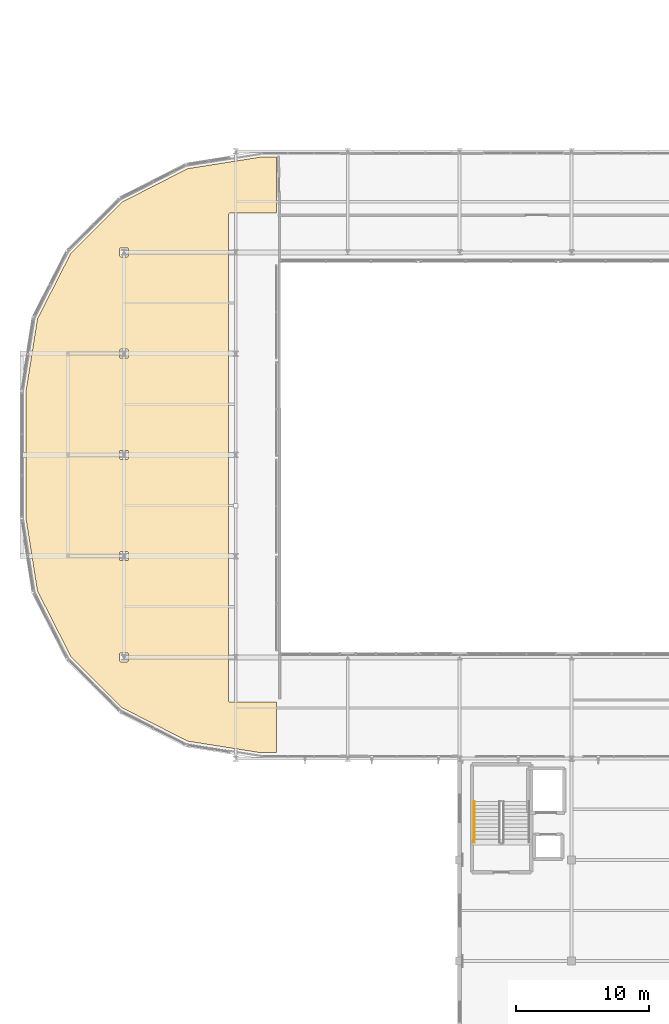
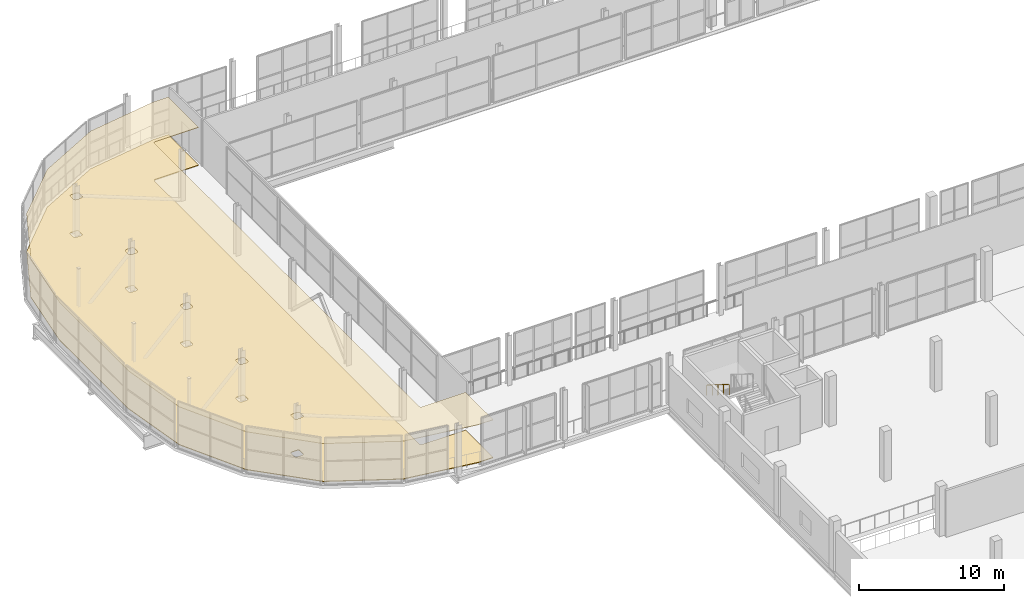
# One storey, part 205 of 217: 2 coverings, 1 railing.
"""IFC4 building model written with IfcOpenShell, lengths in metres."""

from ifc_helpers import new_model, si_unit, direction, frame, origin, origin_2d, place, context, subcontext, project, spatial, polyline, circle, outline, extrude, material, layer, layer_set, type_object, element, save


model = new_model("IFC4")

# Units and contexts
model_context = context("Model", 3, precision=1e-05, world=origin(), true_north=direction((0.0, 1.0)))
body_context = subcontext(model_context, "Body", "Model", "MODEL_VIEW")
ifc_project = project(units=[si_unit("LENGTHUNIT", "METRE"), si_unit("AREAUNIT", "SQUARE_METRE"), si_unit("VOLUMEUNIT", "CUBIC_METRE"), si_unit("PLANEANGLEUNIT", "RADIAN"), si_unit("MASSUNIT", "GRAM", prefix="KILO")], contexts=[model_context])

# Site, building, storey
site_placement = place(None, origin())
site = spatial("IfcSite", under=ifc_project, at=site_placement, CompositionType="ELEMENT")
building_placement = place(site_placement, origin())
building = spatial("IfcBuilding", under=site, at=building_placement, Name="Zuvorla Pavilion Media Centre", CompositionType="ELEMENT")
storey_placement = place(building_placement, frame((0.0, 0.0, 9.60009765625)))
storey = spatial("IfcBuildingStorey", under=building, at=storey_placement, Name="L02", CompositionType="ELEMENT", Elevation=9.60009765625)

# Coverings
ifc_material_1 = material(Name="Perforated gypsum acoustic studio ceiling")
ifc_layer_1 = layer(ifc_material_1, 0.0400390625)
ifc_layer_set_1 = layer_set([ifc_layer_1], Name="Perforated gypsum acoustic studio ceiling")
covering_type_1 = type_object("IfcCoveringType", Name="COV-CLG-ACOUST", PredefinedType="CEILING", material=ifc_layer_set_1)
covering_1_placement = place(storey_placement, frame((0.0, 0.0, 3.179931640625)))
element("IfcCovering", 1, at=covering_1_placement, inside=storey, type_object=covering_type_1, Name="L02 acoustic ceiling 6", PredefinedType="CEILING", context=body_context, shape_type="SweptSolid", body=[
    extrude(outline(polyline([(9.050048828125, 62.035400390625), (9.050048828125, 71.564697265625), (9.914306640625, 77.021484375), (12.40625, 81.912353515625), (16.28759765625, 85.793701171875), (21.178466796875, 88.28564453125), (26.635498046875, 89.14990234375), (27.840087890625, 89.14990234375), (27.840087890625, 84.9599609375), (24.39892578125, 84.9599609375), (24.38427734375, 84.959228515625), (24.36962890625, 84.95703125), (24.36865234375, 84.956787109375), (24.365478515625, 84.956298828125), (24.364501953125, 84.9560546875), (24.35009765625, 84.9521484375), (24.336181640625, 84.94677734375), (24.33447265625, 84.94580078125), (24.322509765625, 84.93994140625), (24.321533203125, 84.939453125), (24.310791015625, 84.932861328125), (24.30078125, 84.92529296875), (24.29931640625, 84.92431640625), (24.286865234375, 84.9130859375), (24.27587890625, 84.90087890625), (24.274658203125, 84.8994140625), (24.26708984375, 84.88916015625), (24.260498046875, 84.87841796875), (24.260009765625, 84.87744140625), (24.254150390625, 84.865478515625), (24.253662109375, 84.86474609375), (24.25341796875, 84.86376953125), (24.247802734375, 84.849853515625), (24.243896484375, 84.83544921875), (24.243896484375, 84.83447265625), (24.2431640625, 84.831298828125), (24.242919921875, 84.830322265625), (24.24072265625, 84.81591796875), (24.239990234375, 84.801025390625), (24.239990234375, 48.39892578125), (24.24072265625, 48.38427734375), (24.242919921875, 48.36962890625), (24.2431640625, 48.36865234375), (24.243896484375, 48.365478515625), (24.243896484375, 48.364501953125), (24.247802734375, 48.35009765625), (24.25341796875, 48.336181640625), (24.253662109375, 48.335205078125), (24.254150390625, 48.33447265625), (24.260009765625, 48.322509765625), (24.260498046875, 48.321533203125), (24.26708984375, 48.310791015625), (24.274658203125, 48.30078125), (24.27587890625, 48.29931640625), (24.286865234375, 48.286865234375), (24.29931640625, 48.27587890625), (24.30078125, 48.274658203125), (24.310791015625, 48.26708984375), (24.321533203125, 48.260498046875), (24.322509765625, 48.260009765625), (24.33447265625, 48.254150390625), (24.336181640625, 48.25341796875), (24.35009765625, 48.247802734375), (24.364501953125, 48.243896484375), (24.365478515625, 48.243896484375), (24.36865234375, 48.2431640625), (24.36962890625, 48.242919921875), (24.38427734375, 48.24072265625), (24.39892578125, 48.239990234375), (27.85009765625, 48.239990234375), (27.85009765625, 44.449951171875), (26.635498046875, 44.449951171875), (21.178466796875, 45.314208984375), (16.28759765625, 47.806396484375), (12.40625, 51.687744140625), (9.914306640625, 56.57861328125), (9.050048828125, 62.035400390625)]), holes=[polyline([(16.0537109375, 51.406005859375), (16.054443359375, 51.39111328125), (16.056640625, 51.376708984375), (16.060302734375, 51.3623046875), (16.065185546875, 51.348388671875), (16.0712890625, 51.335205078125), (16.0791015625, 51.322509765625), (16.087646484375, 51.310791015625), (16.09765625, 51.2998046875), (16.1083984375, 51.289794921875), (16.120361328125, 51.28125), (16.133056640625, 51.273681640625), (16.146240234375, 51.267333984375), (16.16015625, 51.262451171875), (16.17431640625, 51.2587890625), (16.18896484375, 51.256591796875), (16.20361328125, 51.255859375), (16.59619140625, 51.255859375), (16.611083984375, 51.256591796875), (16.62548828125, 51.2587890625), (16.639892578125, 51.262451171875), (16.65380859375, 51.267333984375), (16.6669921875, 51.273681640625), (16.6796875, 51.28125), (16.69140625, 51.289794921875), (16.702392578125, 51.2998046875), (16.71240234375, 51.310791015625), (16.720947265625, 51.322509765625), (16.728515625, 51.335205078125), (16.73486328125, 51.348388671875), (16.73974609375, 51.3623046875), (16.743408203125, 51.376708984375), (16.74560546875, 51.39111328125), (16.746337890625, 51.406005859375), (16.746337890625, 51.794189453125), (16.74560546875, 51.808837890625), (16.743408203125, 51.823486328125), (16.73974609375, 51.837646484375), (16.73486328125, 51.8515625), (16.728515625, 51.86474609375), (16.720947265625, 51.87744140625), (16.71240234375, 51.889404296875), (16.702392578125, 51.900146484375), (16.69140625, 51.91015625), (16.6796875, 51.918701171875), (16.6669921875, 51.926513671875), (16.65380859375, 51.9326171875), (16.639892578125, 51.9375), (16.62548828125, 51.941162109375), (16.611083984375, 51.943359375), (16.59619140625, 51.944091796875), (16.20361328125, 51.944091796875), (16.18896484375, 51.943359375), (16.17431640625, 51.941162109375), (16.16015625, 51.9375), (16.146240234375, 51.9326171875), (16.133056640625, 51.926513671875), (16.120361328125, 51.918701171875), (16.1083984375, 51.91015625), (16.09765625, 51.900146484375), (16.087646484375, 51.889404296875), (16.0791015625, 51.87744140625), (16.0712890625, 51.86474609375), (16.065185546875, 51.8515625), (16.060302734375, 51.837646484375), (16.056640625, 51.823486328125), (16.054443359375, 51.808837890625), (16.0537109375, 51.794189453125), (16.0537109375, 51.406005859375)]), polyline([(16.0537109375, 59.005859375), (16.054443359375, 58.9912109375), (16.056640625, 58.9765625), (16.060302734375, 58.96240234375), (16.065185546875, 58.948486328125), (16.0712890625, 58.935302734375), (16.0791015625, 58.922607421875), (16.087646484375, 58.91064453125), (16.09765625, 58.89990234375), (16.1083984375, 58.889892578125), (16.120361328125, 58.881103515625), (16.133056640625, 58.87353515625), (16.146240234375, 58.8671875), (16.16015625, 58.8623046875), (16.17431640625, 58.85888671875), (16.18896484375, 58.856689453125), (16.20361328125, 58.85595703125), (16.59619140625, 58.85595703125), (16.611083984375, 58.856689453125), (16.62548828125, 58.85888671875), (16.639892578125, 58.8623046875), (16.65380859375, 58.8671875), (16.6669921875, 58.87353515625), (16.6796875, 58.881103515625), (16.69140625, 58.889892578125), (16.702392578125, 58.89990234375), (16.71240234375, 58.91064453125), (16.720947265625, 58.922607421875), (16.728515625, 58.935302734375), (16.73486328125, 58.948486328125), (16.73974609375, 58.96240234375), (16.743408203125, 58.9765625), (16.74560546875, 58.9912109375), (16.746337890625, 59.005859375), (16.746337890625, 59.39404296875), (16.74560546875, 59.40869140625), (16.743408203125, 59.42333984375), (16.73974609375, 59.4375), (16.73486328125, 59.451416015625), (16.728515625, 59.46484375), (16.720947265625, 59.477294921875), (16.71240234375, 59.4892578125), (16.702392578125, 59.500244140625), (16.69140625, 59.510009765625), (16.6796875, 59.518798828125), (16.6669921875, 59.5263671875), (16.65380859375, 59.53271484375), (16.639892578125, 59.53759765625), (16.62548828125, 59.541259765625), (16.611083984375, 59.54345703125), (16.59619140625, 59.544189453125), (16.20361328125, 59.544189453125), (16.18896484375, 59.54345703125), (16.17431640625, 59.541259765625), (16.16015625, 59.53759765625), (16.146240234375, 59.53271484375), (16.133056640625, 59.5263671875), (16.120361328125, 59.518798828125), (16.1083984375, 59.510009765625), (16.09765625, 59.500244140625), (16.087646484375, 59.4892578125), (16.0791015625, 59.477294921875), (16.0712890625, 59.46484375), (16.065185546875, 59.451416015625), (16.060302734375, 59.4375), (16.056640625, 59.42333984375), (16.054443359375, 59.40869140625), (16.0537109375, 59.39404296875), (16.0537109375, 59.005859375)]), polyline([(16.0537109375, 66.60595703125), (16.054443359375, 66.59130859375), (16.056640625, 66.57666015625), (16.060302734375, 66.5625), (16.065185546875, 66.548583984375), (16.0712890625, 66.53515625), (16.0791015625, 66.522705078125), (16.087646484375, 66.5107421875), (16.09765625, 66.499755859375), (16.1083984375, 66.489990234375), (16.120361328125, 66.481201171875), (16.133056640625, 66.4736328125), (16.146240234375, 66.46728515625), (16.16015625, 66.46240234375), (16.17431640625, 66.458740234375), (16.18896484375, 66.45654296875), (16.20361328125, 66.455810546875), (16.59619140625, 66.455810546875), (16.611083984375, 66.45654296875), (16.62548828125, 66.458740234375), (16.639892578125, 66.46240234375), (16.65380859375, 66.46728515625), (16.6669921875, 66.4736328125), (16.6796875, 66.481201171875), (16.69140625, 66.489990234375), (16.702392578125, 66.499755859375), (16.71240234375, 66.5107421875), (16.720947265625, 66.522705078125), (16.728515625, 66.53515625), (16.73486328125, 66.548583984375), (16.73974609375, 66.5625), (16.743408203125, 66.57666015625), (16.74560546875, 66.59130859375), (16.746337890625, 66.60595703125), (16.746337890625, 66.994140625), (16.74560546875, 67.0087890625), (16.743408203125, 67.0234375), (16.73974609375, 67.03759765625), (16.73486328125, 67.051513671875), (16.728515625, 67.064697265625), (16.720947265625, 67.077392578125), (16.71240234375, 67.08935546875), (16.702392578125, 67.10009765625), (16.69140625, 67.110107421875), (16.6796875, 67.118896484375), (16.6669921875, 67.12646484375), (16.65380859375, 67.1328125), (16.639892578125, 67.1376953125), (16.62548828125, 67.14111328125), (16.611083984375, 67.143310546875), (16.59619140625, 67.14404296875), (16.20361328125, 67.14404296875), (16.18896484375, 67.143310546875), (16.17431640625, 67.14111328125), (16.16015625, 67.1376953125), (16.146240234375, 67.1328125), (16.133056640625, 67.12646484375), (16.120361328125, 67.118896484375), (16.1083984375, 67.110107421875), (16.09765625, 67.10009765625), (16.087646484375, 67.08935546875), (16.0791015625, 67.077392578125), (16.0712890625, 67.064697265625), (16.065185546875, 67.051513671875), (16.060302734375, 67.03759765625), (16.056640625, 67.0234375), (16.054443359375, 67.0087890625), (16.0537109375, 66.994140625), (16.0537109375, 66.60595703125)]), polyline([(16.0537109375, 81.805908203125), (16.054443359375, 81.791259765625), (16.056640625, 81.776611328125), (16.060302734375, 81.762451171875), (16.065185546875, 81.74853515625), (16.0712890625, 81.735107421875), (16.0791015625, 81.72265625), (16.087646484375, 81.710693359375), (16.09765625, 81.69970703125), (16.1083984375, 81.68994140625), (16.120361328125, 81.68115234375), (16.133056640625, 81.673583984375), (16.146240234375, 81.667236328125), (16.16015625, 81.662353515625), (16.17431640625, 81.65869140625), (16.18896484375, 81.656494140625), (16.20361328125, 81.656005859375), (16.59619140625, 81.656005859375), (16.611083984375, 81.656494140625), (16.62548828125, 81.65869140625), (16.639892578125, 81.662353515625), (16.65380859375, 81.667236328125), (16.6669921875, 81.673583984375), (16.6796875, 81.68115234375), (16.69140625, 81.68994140625), (16.702392578125, 81.69970703125), (16.71240234375, 81.710693359375), (16.720947265625, 81.72265625), (16.728515625, 81.735107421875), (16.73486328125, 81.74853515625), (16.73974609375, 81.762451171875), (16.743408203125, 81.776611328125), (16.74560546875, 81.791259765625), (16.746337890625, 81.805908203125), (16.746337890625, 82.194091796875), (16.74560546875, 82.208740234375), (16.743408203125, 82.223388671875), (16.73974609375, 82.237548828125), (16.73486328125, 82.25146484375), (16.728515625, 82.264892578125), (16.720947265625, 82.27734375), (16.71240234375, 82.289306640625), (16.702392578125, 82.30029296875), (16.69140625, 82.31005859375), (16.6796875, 82.31884765625), (16.6669921875, 82.326416015625), (16.65380859375, 82.332763671875), (16.639892578125, 82.337646484375), (16.62548828125, 82.34130859375), (16.611083984375, 82.343505859375), (16.59619140625, 82.343994140625), (16.20361328125, 82.343994140625), (16.18896484375, 82.343505859375), (16.17431640625, 82.34130859375), (16.16015625, 82.337646484375), (16.146240234375, 82.332763671875), (16.133056640625, 82.326416015625), (16.120361328125, 82.31884765625), (16.1083984375, 82.31005859375), (16.09765625, 82.30029296875), (16.087646484375, 82.289306640625), (16.0791015625, 82.27734375), (16.0712890625, 82.264892578125), (16.065185546875, 82.25146484375), (16.060302734375, 82.237548828125), (16.056640625, 82.223388671875), (16.054443359375, 82.208740234375), (16.0537109375, 82.194091796875), (16.0537109375, 81.805908203125)]), polyline([(16.20361328125, 74.744140625), (16.18896484375, 74.743408203125), (16.17431640625, 74.7412109375), (16.16015625, 74.737548828125), (16.146240234375, 74.732666015625), (16.133056640625, 74.726318359375), (16.120361328125, 74.71875), (16.1083984375, 74.710205078125), (16.09765625, 74.7001953125), (16.087646484375, 74.689208984375), (16.0791015625, 74.677490234375), (16.0712890625, 74.664794921875), (16.065185546875, 74.651611328125), (16.060302734375, 74.6376953125), (16.056640625, 74.623291015625), (16.054443359375, 74.60888671875), (16.0537109375, 74.593994140625), (16.0537109375, 74.205810546875), (16.054443359375, 74.191162109375), (16.056640625, 74.176513671875), (16.060302734375, 74.162353515625), (16.065185546875, 74.1484375), (16.0712890625, 74.13525390625), (16.0791015625, 74.12255859375), (16.087646484375, 74.110595703125), (16.09765625, 74.099853515625), (16.1083984375, 74.08984375), (16.120361328125, 74.081298828125), (16.133056640625, 74.073486328125), (16.146240234375, 74.0673828125), (16.16015625, 74.0625), (16.17431640625, 74.058837890625), (16.18896484375, 74.056640625), (16.20361328125, 74.055908203125), (16.59619140625, 74.055908203125), (16.611083984375, 74.056640625), (16.62548828125, 74.058837890625), (16.639892578125, 74.0625), (16.65380859375, 74.0673828125), (16.6669921875, 74.073486328125), (16.6796875, 74.081298828125), (16.69140625, 74.08984375), (16.702392578125, 74.099853515625), (16.71240234375, 74.110595703125), (16.720947265625, 74.12255859375), (16.728515625, 74.13525390625), (16.73486328125, 74.1484375), (16.73974609375, 74.162353515625), (16.743408203125, 74.176513671875), (16.74560546875, 74.191162109375), (16.746337890625, 74.205810546875), (16.746337890625, 74.593994140625), (16.74560546875, 74.60888671875), (16.743408203125, 74.623291015625), (16.73974609375, 74.6376953125), (16.73486328125, 74.651611328125), (16.728515625, 74.664794921875), (16.720947265625, 74.677490234375), (16.71240234375, 74.689208984375), (16.702392578125, 74.7001953125), (16.69140625, 74.710205078125), (16.6796875, 74.71875), (16.6669921875, 74.726318359375), (16.65380859375, 74.732666015625), (16.639892578125, 74.737548828125), (16.62548828125, 74.7412109375), (16.611083984375, 74.743408203125), (16.59619140625, 74.744140625), (16.20361328125, 74.744140625)])]), origin(), (0.0, 0.0, 1.0), 0.0400390625),
])
ifc_material_2 = material(Name="Floating resilient acoustic hardwood studio floor", Category="wood")
ifc_layer_2 = layer(ifc_material_2, 0.050048828125)
ifc_layer_set_2 = layer_set([ifc_layer_2], Name="Floating resilient acoustic hardwood studio floor")
covering_type_2 = type_object("IfcCoveringType", Name="COV-FLR-ACOUST", PredefinedType="FLOORING", material=ifc_layer_set_2)
covering_2_placement = place(storey_placement, origin())
element("IfcCovering", 2, at=covering_2_placement, inside=storey, type_object=covering_type_2, Name="L02 acoustic studio floor 10", PredefinedType="FLOORING", context=body_context, shape_type="SweptSolid", body=[
    extrude(outline(polyline([(9.050048828125, 62.035400390625), (9.050048828125, 71.564697265625), (9.914306640625, 77.021484375), (12.40625, 81.912353515625), (16.28759765625, 85.793701171875), (21.178466796875, 88.28564453125), (26.635498046875, 89.14990234375), (27.840087890625, 89.14990234375), (27.840087890625, 84.9599609375), (24.39892578125, 84.9599609375), (24.38427734375, 84.959228515625), (24.36962890625, 84.95703125), (24.36865234375, 84.956787109375), (24.365478515625, 84.956298828125), (24.364501953125, 84.9560546875), (24.35009765625, 84.9521484375), (24.336181640625, 84.94677734375), (24.33447265625, 84.94580078125), (24.322509765625, 84.93994140625), (24.321533203125, 84.939453125), (24.310791015625, 84.932861328125), (24.30078125, 84.92529296875), (24.29931640625, 84.92431640625), (24.286865234375, 84.9130859375), (24.27587890625, 84.90087890625), (24.274658203125, 84.8994140625), (24.26708984375, 84.88916015625), (24.260498046875, 84.87841796875), (24.260009765625, 84.87744140625), (24.254150390625, 84.865478515625), (24.253662109375, 84.86474609375), (24.25341796875, 84.86376953125), (24.247802734375, 84.849853515625), (24.243896484375, 84.83544921875), (24.243896484375, 84.83447265625), (24.2431640625, 84.831298828125), (24.242919921875, 84.830322265625), (24.24072265625, 84.81591796875), (24.239990234375, 84.801025390625), (24.239990234375, 48.39892578125), (24.24072265625, 48.38427734375), (24.242919921875, 48.36962890625), (24.2431640625, 48.36865234375), (24.243896484375, 48.365478515625), (24.243896484375, 48.364501953125), (24.247802734375, 48.35009765625), (24.25341796875, 48.336181640625), (24.253662109375, 48.335205078125), (24.254150390625, 48.33447265625), (24.260009765625, 48.322509765625), (24.260498046875, 48.321533203125), (24.26708984375, 48.310791015625), (24.274658203125, 48.30078125), (24.27587890625, 48.29931640625), (24.286865234375, 48.286865234375), (24.29931640625, 48.27587890625), (24.30078125, 48.274658203125), (24.310791015625, 48.26708984375), (24.321533203125, 48.260498046875), (24.322509765625, 48.260009765625), (24.33447265625, 48.254150390625), (24.336181640625, 48.25341796875), (24.35009765625, 48.247802734375), (24.364501953125, 48.243896484375), (24.365478515625, 48.243896484375), (24.36865234375, 48.2431640625), (24.36962890625, 48.242919921875), (24.38427734375, 48.24072265625), (24.39892578125, 48.239990234375), (27.85009765625, 48.239990234375), (27.85009765625, 44.449951171875), (26.635498046875, 44.449951171875), (21.178466796875, 45.314208984375), (16.28759765625, 47.806396484375), (12.40625, 51.687744140625), (9.914306640625, 56.57861328125), (9.050048828125, 62.035400390625)]), holes=[polyline([(16.0537109375, 51.406005859375), (16.054443359375, 51.39111328125), (16.056640625, 51.376708984375), (16.060302734375, 51.3623046875), (16.065185546875, 51.348388671875), (16.0712890625, 51.335205078125), (16.0791015625, 51.322509765625), (16.087646484375, 51.310791015625), (16.09765625, 51.2998046875), (16.1083984375, 51.289794921875), (16.120361328125, 51.28125), (16.133056640625, 51.273681640625), (16.146240234375, 51.267333984375), (16.16015625, 51.262451171875), (16.17431640625, 51.2587890625), (16.18896484375, 51.256591796875), (16.20361328125, 51.255859375), (16.59619140625, 51.255859375), (16.611083984375, 51.256591796875), (16.62548828125, 51.2587890625), (16.639892578125, 51.262451171875), (16.65380859375, 51.267333984375), (16.6669921875, 51.273681640625), (16.6796875, 51.28125), (16.69140625, 51.289794921875), (16.702392578125, 51.2998046875), (16.71240234375, 51.310791015625), (16.720947265625, 51.322509765625), (16.728515625, 51.335205078125), (16.73486328125, 51.348388671875), (16.73974609375, 51.3623046875), (16.743408203125, 51.376708984375), (16.74560546875, 51.39111328125), (16.746337890625, 51.406005859375), (16.746337890625, 51.794189453125), (16.74560546875, 51.808837890625), (16.743408203125, 51.823486328125), (16.73974609375, 51.837646484375), (16.73486328125, 51.8515625), (16.728515625, 51.86474609375), (16.720947265625, 51.87744140625), (16.71240234375, 51.889404296875), (16.702392578125, 51.900146484375), (16.69140625, 51.91015625), (16.6796875, 51.918701171875), (16.6669921875, 51.926513671875), (16.65380859375, 51.9326171875), (16.639892578125, 51.9375), (16.62548828125, 51.941162109375), (16.611083984375, 51.943359375), (16.59619140625, 51.944091796875), (16.20361328125, 51.944091796875), (16.18896484375, 51.943359375), (16.17431640625, 51.941162109375), (16.16015625, 51.9375), (16.146240234375, 51.9326171875), (16.133056640625, 51.926513671875), (16.120361328125, 51.918701171875), (16.1083984375, 51.91015625), (16.09765625, 51.900146484375), (16.087646484375, 51.889404296875), (16.0791015625, 51.87744140625), (16.0712890625, 51.86474609375), (16.065185546875, 51.8515625), (16.060302734375, 51.837646484375), (16.056640625, 51.823486328125), (16.054443359375, 51.808837890625), (16.0537109375, 51.794189453125), (16.0537109375, 51.406005859375)]), polyline([(16.0537109375, 59.005859375), (16.054443359375, 58.9912109375), (16.056640625, 58.9765625), (16.060302734375, 58.96240234375), (16.065185546875, 58.948486328125), (16.0712890625, 58.935302734375), (16.0791015625, 58.922607421875), (16.087646484375, 58.91064453125), (16.09765625, 58.89990234375), (16.1083984375, 58.889892578125), (16.120361328125, 58.881103515625), (16.133056640625, 58.87353515625), (16.146240234375, 58.8671875), (16.16015625, 58.8623046875), (16.17431640625, 58.85888671875), (16.18896484375, 58.856689453125), (16.20361328125, 58.85595703125), (16.59619140625, 58.85595703125), (16.611083984375, 58.856689453125), (16.62548828125, 58.85888671875), (16.639892578125, 58.8623046875), (16.65380859375, 58.8671875), (16.6669921875, 58.87353515625), (16.6796875, 58.881103515625), (16.69140625, 58.889892578125), (16.702392578125, 58.89990234375), (16.71240234375, 58.91064453125), (16.720947265625, 58.922607421875), (16.728515625, 58.935302734375), (16.73486328125, 58.948486328125), (16.73974609375, 58.96240234375), (16.743408203125, 58.9765625), (16.74560546875, 58.9912109375), (16.746337890625, 59.005859375), (16.746337890625, 59.39404296875), (16.74560546875, 59.40869140625), (16.743408203125, 59.42333984375), (16.73974609375, 59.4375), (16.73486328125, 59.451416015625), (16.728515625, 59.46484375), (16.720947265625, 59.477294921875), (16.71240234375, 59.4892578125), (16.702392578125, 59.500244140625), (16.69140625, 59.510009765625), (16.6796875, 59.518798828125), (16.6669921875, 59.5263671875), (16.65380859375, 59.53271484375), (16.639892578125, 59.53759765625), (16.62548828125, 59.541259765625), (16.611083984375, 59.54345703125), (16.59619140625, 59.544189453125), (16.20361328125, 59.544189453125), (16.18896484375, 59.54345703125), (16.17431640625, 59.541259765625), (16.16015625, 59.53759765625), (16.146240234375, 59.53271484375), (16.133056640625, 59.5263671875), (16.120361328125, 59.518798828125), (16.1083984375, 59.510009765625), (16.09765625, 59.500244140625), (16.087646484375, 59.4892578125), (16.0791015625, 59.477294921875), (16.0712890625, 59.46484375), (16.065185546875, 59.451416015625), (16.060302734375, 59.4375), (16.056640625, 59.42333984375), (16.054443359375, 59.40869140625), (16.0537109375, 59.39404296875), (16.0537109375, 59.005859375)]), polyline([(16.0537109375, 66.60595703125), (16.054443359375, 66.59130859375), (16.056640625, 66.57666015625), (16.060302734375, 66.5625), (16.065185546875, 66.548583984375), (16.0712890625, 66.53515625), (16.0791015625, 66.522705078125), (16.087646484375, 66.5107421875), (16.09765625, 66.499755859375), (16.1083984375, 66.489990234375), (16.120361328125, 66.481201171875), (16.133056640625, 66.4736328125), (16.146240234375, 66.46728515625), (16.16015625, 66.46240234375), (16.17431640625, 66.458740234375), (16.18896484375, 66.45654296875), (16.20361328125, 66.455810546875), (16.59619140625, 66.455810546875), (16.611083984375, 66.45654296875), (16.62548828125, 66.458740234375), (16.639892578125, 66.46240234375), (16.65380859375, 66.46728515625), (16.6669921875, 66.4736328125), (16.6796875, 66.481201171875), (16.69140625, 66.489990234375), (16.702392578125, 66.499755859375), (16.71240234375, 66.5107421875), (16.720947265625, 66.522705078125), (16.728515625, 66.53515625), (16.73486328125, 66.548583984375), (16.73974609375, 66.5625), (16.743408203125, 66.57666015625), (16.74560546875, 66.59130859375), (16.746337890625, 66.60595703125), (16.746337890625, 66.994140625), (16.74560546875, 67.0087890625), (16.743408203125, 67.0234375), (16.73974609375, 67.03759765625), (16.73486328125, 67.051513671875), (16.728515625, 67.064697265625), (16.720947265625, 67.077392578125), (16.71240234375, 67.08935546875), (16.702392578125, 67.10009765625), (16.69140625, 67.110107421875), (16.6796875, 67.118896484375), (16.6669921875, 67.12646484375), (16.65380859375, 67.1328125), (16.639892578125, 67.1376953125), (16.62548828125, 67.14111328125), (16.611083984375, 67.143310546875), (16.59619140625, 67.14404296875), (16.20361328125, 67.14404296875), (16.18896484375, 67.143310546875), (16.17431640625, 67.14111328125), (16.16015625, 67.1376953125), (16.146240234375, 67.1328125), (16.133056640625, 67.12646484375), (16.120361328125, 67.118896484375), (16.1083984375, 67.110107421875), (16.09765625, 67.10009765625), (16.087646484375, 67.08935546875), (16.0791015625, 67.077392578125), (16.0712890625, 67.064697265625), (16.065185546875, 67.051513671875), (16.060302734375, 67.03759765625), (16.056640625, 67.0234375), (16.054443359375, 67.0087890625), (16.0537109375, 66.994140625), (16.0537109375, 66.60595703125)]), polyline([(16.0537109375, 81.805908203125), (16.054443359375, 81.791259765625), (16.056640625, 81.776611328125), (16.060302734375, 81.762451171875), (16.065185546875, 81.74853515625), (16.0712890625, 81.735107421875), (16.0791015625, 81.72265625), (16.087646484375, 81.710693359375), (16.09765625, 81.69970703125), (16.1083984375, 81.68994140625), (16.120361328125, 81.68115234375), (16.133056640625, 81.673583984375), (16.146240234375, 81.667236328125), (16.16015625, 81.662353515625), (16.17431640625, 81.65869140625), (16.18896484375, 81.656494140625), (16.20361328125, 81.656005859375), (16.59619140625, 81.656005859375), (16.611083984375, 81.656494140625), (16.62548828125, 81.65869140625), (16.639892578125, 81.662353515625), (16.65380859375, 81.667236328125), (16.6669921875, 81.673583984375), (16.6796875, 81.68115234375), (16.69140625, 81.68994140625), (16.702392578125, 81.69970703125), (16.71240234375, 81.710693359375), (16.720947265625, 81.72265625), (16.728515625, 81.735107421875), (16.73486328125, 81.74853515625), (16.73974609375, 81.762451171875), (16.743408203125, 81.776611328125), (16.74560546875, 81.791259765625), (16.746337890625, 81.805908203125), (16.746337890625, 82.194091796875), (16.74560546875, 82.208740234375), (16.743408203125, 82.223388671875), (16.73974609375, 82.237548828125), (16.73486328125, 82.25146484375), (16.728515625, 82.264892578125), (16.720947265625, 82.27734375), (16.71240234375, 82.289306640625), (16.702392578125, 82.30029296875), (16.69140625, 82.31005859375), (16.6796875, 82.31884765625), (16.6669921875, 82.326416015625), (16.65380859375, 82.332763671875), (16.639892578125, 82.337646484375), (16.62548828125, 82.34130859375), (16.611083984375, 82.343505859375), (16.59619140625, 82.343994140625), (16.20361328125, 82.343994140625), (16.18896484375, 82.343505859375), (16.17431640625, 82.34130859375), (16.16015625, 82.337646484375), (16.146240234375, 82.332763671875), (16.133056640625, 82.326416015625), (16.120361328125, 82.31884765625), (16.1083984375, 82.31005859375), (16.09765625, 82.30029296875), (16.087646484375, 82.289306640625), (16.0791015625, 82.27734375), (16.0712890625, 82.264892578125), (16.065185546875, 82.25146484375), (16.060302734375, 82.237548828125), (16.056640625, 82.223388671875), (16.054443359375, 82.208740234375), (16.0537109375, 82.194091796875), (16.0537109375, 81.805908203125)]), polyline([(16.20361328125, 74.744140625), (16.18896484375, 74.743408203125), (16.17431640625, 74.7412109375), (16.16015625, 74.737548828125), (16.146240234375, 74.732666015625), (16.133056640625, 74.726318359375), (16.120361328125, 74.71875), (16.1083984375, 74.710205078125), (16.09765625, 74.7001953125), (16.087646484375, 74.689208984375), (16.0791015625, 74.677490234375), (16.0712890625, 74.664794921875), (16.065185546875, 74.651611328125), (16.060302734375, 74.6376953125), (16.056640625, 74.623291015625), (16.054443359375, 74.60888671875), (16.0537109375, 74.593994140625), (16.0537109375, 74.205810546875), (16.054443359375, 74.191162109375), (16.056640625, 74.176513671875), (16.060302734375, 74.162353515625), (16.065185546875, 74.1484375), (16.0712890625, 74.13525390625), (16.0791015625, 74.12255859375), (16.087646484375, 74.110595703125), (16.09765625, 74.099853515625), (16.1083984375, 74.08984375), (16.120361328125, 74.081298828125), (16.133056640625, 74.073486328125), (16.146240234375, 74.0673828125), (16.16015625, 74.0625), (16.17431640625, 74.058837890625), (16.18896484375, 74.056640625), (16.20361328125, 74.055908203125), (16.59619140625, 74.055908203125), (16.611083984375, 74.056640625), (16.62548828125, 74.058837890625), (16.639892578125, 74.0625), (16.65380859375, 74.0673828125), (16.6669921875, 74.073486328125), (16.6796875, 74.081298828125), (16.69140625, 74.08984375), (16.702392578125, 74.099853515625), (16.71240234375, 74.110595703125), (16.720947265625, 74.12255859375), (16.728515625, 74.13525390625), (16.73486328125, 74.1484375), (16.73974609375, 74.162353515625), (16.743408203125, 74.176513671875), (16.74560546875, 74.191162109375), (16.746337890625, 74.205810546875), (16.746337890625, 74.593994140625), (16.74560546875, 74.60888671875), (16.743408203125, 74.623291015625), (16.73974609375, 74.6376953125), (16.73486328125, 74.651611328125), (16.728515625, 74.664794921875), (16.720947265625, 74.677490234375), (16.71240234375, 74.689208984375), (16.702392578125, 74.7001953125), (16.69140625, 74.710205078125), (16.6796875, 74.71875), (16.6669921875, 74.726318359375), (16.65380859375, 74.732666015625), (16.639892578125, 74.737548828125), (16.62548828125, 74.7412109375), (16.611083984375, 74.743408203125), (16.59619140625, 74.744140625), (16.20361328125, 74.744140625)])]), origin(), (0.0, 0.0, 1.0), 0.0498046875),
])

# Railing
ifc_material_3 = material(Name="Brushed stainless steel tubular handrail", Category="steel")
railing_type = type_object("IfcRailingType", Name="RL-INT-HND", PredefinedType="HANDRAIL", material=ifc_material_3)
railing_placement = place(storey_placement, frame((42.699951171875, 40.780029296875, 2.27490234375)))
element("IfcRailing", 3, at=railing_placement, inside=storey, type_object=railing_type, Name="L02 ST-03 handrail 2", PredefinedType="HANDRAIL", context=body_context, shape_type="SweptSolid", body=[
    extrude(circle(Radius=0.02392578125, at=origin_2d()), frame((0.0, -0.0244140625, 0.89111328125), z_axis=(0.0, -0.847998304005, 0.529998940003), x_axis=(1.0, 0.0, 0.0)), (0.0, 0.0, 1.0), 3.574462890625),
    extrude(circle(Radius=0.02099609375, at=origin_2d()), origin(), (0.0, 0.0, 1.0), 0.849853515625),
    extrude(circle(Radius=0.02099609375, at=origin_2d()), frame((0.0, -0.77001953125, 0.481201171875)), (0.0, 0.0, 1.0), 0.849853515625),
    extrude(circle(Radius=0.02099609375, at=origin_2d()), frame((0.0, -1.5400390625, 0.96240234375)), (0.0, 0.0, 1.0), 0.849853515625),
    extrude(circle(Radius=0.02099609375, at=origin_2d()), frame((0.0, -2.31005859375, 1.44384765625)), (0.0, 0.0, 1.0), 0.849853515625),
    extrude(circle(Radius=0.02099609375, at=origin_2d()), frame((0.0, -3.080078125, 1.925048828125)), (0.0, 0.0, 1.0), 0.849853515625),
])

save(model, "model.ifc")
